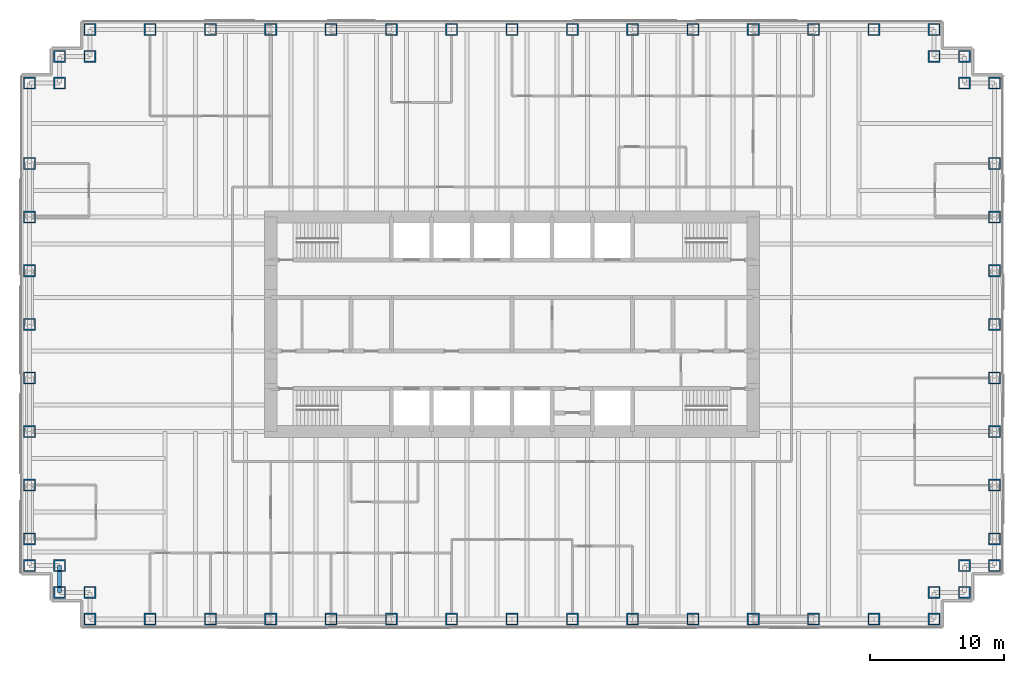
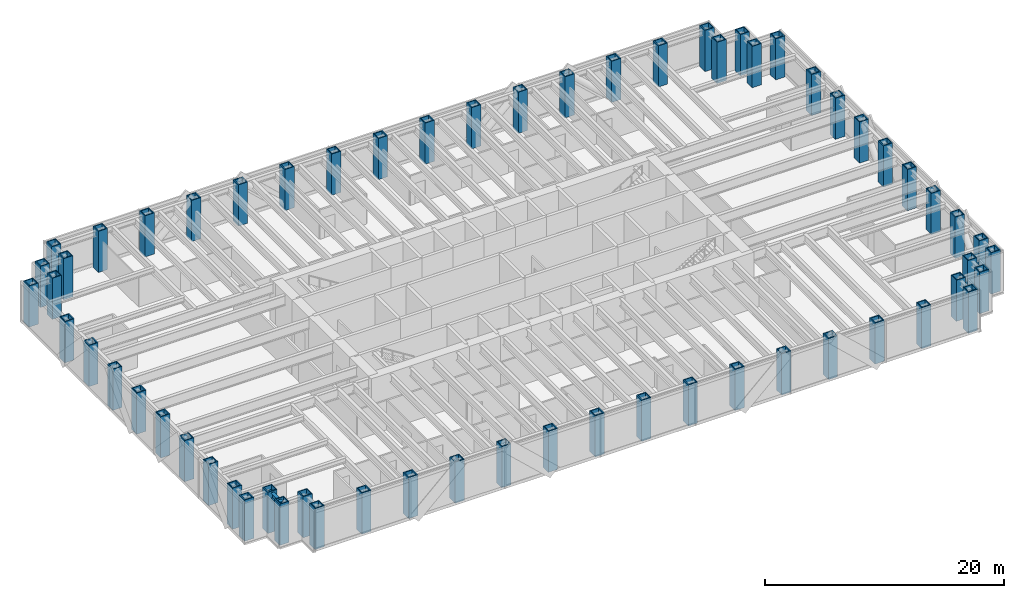
# One storey, part 1 of 15: 62 columns, 1 beam.
"""IFC4 building model written with IfcOpenShell, lengths in metres."""

import ifcopenshell
import ifcopenshell.guid

model = None  # the IFC model being written
_history = None  # IfcOwnerHistory: only IFC2X3 demands one
_inside = {}  # id of a spatial element -> (the spatial element, [elements in it])
_under = {}  # id of a project, library or spatial element -> (it, [spatial elements below it])
_declared = {}  # id of a project -> (the project, [libraries it declares])
_typed = {}  # id of a type object -> (the type object, [elements of that type])
_made_of = {}  # id of a material, layer set ... -> (it, [elements and type objects made of it])


def new_model(schema):
    """Start an empty IFC model of exactly this schema.

    Asked for "IFC4X3", IfcOpenShell would pick the latest addendum, in which some entities
    have other attributes; the version numbers below select the first issue.
    IFC2X3 requires an IfcOwnerHistory on every rooted entity: one is made here for all.
    """
    global model, _history
    if schema == "IFC4X3":
        model = ifcopenshell.file(schema_version=(4, 3, 0, 0))
    else:
        model = ifcopenshell.file(schema=schema)
    _inside.clear()
    _under.clear()
    _declared.clear()
    _typed.clear()
    _made_of.clear()
    _history = None
    if model.schema == "IFC2X3":
        org = make("IfcOrganization", Name="unknown")
        user = make(
            "IfcPersonAndOrganization",
            ThePerson=make("IfcPerson", FamilyName="unknown"),
            TheOrganization=org,
        )
        app = make(
            "IfcApplication",
            ApplicationDeveloper=org,
            Version="unknown",
            ApplicationFullName="unknown",
            ApplicationIdentifier="unknown",
        )
        _history = make(
            "IfcOwnerHistory",
            OwningUser=user,
            OwningApplication=app,
            ChangeAction="ADDED",
            CreationDate=0,
        )
    return model


def make(cls, **values):
    """One entity of the class cls with the attributes given. An attribute that is None is left unset."""
    return model.create_entity(
        cls, **{name: value for name, value in values.items() if value is not None}
    )


def rooted(cls, **values):
    """An entity with a GlobalId (a new one), such as an element, a storey or a relation."""
    return make(cls, GlobalId=ifcopenshell.guid.new(), OwnerHistory=_history, **values)


def si_unit(unit_type, name, prefix=None):
    """IfcSIUnit, for example si_unit("LENGTHUNIT", "METRE", prefix="MILLI")."""
    return make("IfcSIUnit", UnitType=unit_type, Prefix=prefix, Name=name)


def assignment(units):
    """IfcUnitAssignment: the units of a project."""
    return None if units is None else make("IfcUnitAssignment", Units=units)


def point(xyz):
    """IfcCartesianPoint."""
    return None if xyz is None else make("IfcCartesianPoint", Coordinates=xyz)


def direction(xyz):
    """IfcDirection."""
    return None if xyz is None else make("IfcDirection", DirectionRatios=xyz)


def frame(location, z_axis=None, x_axis=None):
    """IfcAxis2Placement3D, a coordinate frame: its origin and axes. An axis left out is left unset."""
    return make(
        "IfcAxis2Placement3D",
        Location=point(location),
        Axis=direction(z_axis),
        RefDirection=direction(x_axis),
    )


def frame_2d(location, x_axis=None):
    """IfcAxis2Placement2D, a coordinate frame in the plane: its origin and x axis."""
    return make(
        "IfcAxis2Placement2D", Location=point(location), RefDirection=direction(x_axis)
    )


def origin():
    """The frame at (0, 0, 0) with its axes left unset."""
    return frame((0.0, 0.0, 0.0))


def origin_2d():
    """The frame at (0, 0) in the plane with its x axis left unset."""
    return frame_2d((0.0, 0.0))


def place(relative_to, where):
    """IfcLocalPlacement: puts the frame where relative to a parent placement (None: the world)."""
    return make(
        "IfcLocalPlacement", PlacementRelTo=relative_to, RelativePlacement=where
    )


def context(
    kind, dimensions, precision=None, world=None, true_north=None, identifier=None
):
    """IfcGeometricRepresentationContext, for example the 3D "Model" context."""
    return make(
        "IfcGeometricRepresentationContext",
        ContextIdentifier=identifier,
        ContextType=kind,
        CoordinateSpaceDimension=dimensions,
        Precision=precision,
        WorldCoordinateSystem=world,
        TrueNorth=true_north,
    )


def subcontext(parent, identifier, kind, view, scale=None):
    """IfcGeometricRepresentationSubContext, for example "Body" below "Model"."""
    return make(
        "IfcGeometricRepresentationSubContext",
        ContextIdentifier=identifier,
        ContextType=kind,
        ParentContext=parent,
        TargetScale=scale,
        TargetView=view,
    )


def project(units=None, contexts=None):
    """IfcProject with its units and contexts."""
    return rooted(
        "IfcProject",
        Name="project",
        RepresentationContexts=contexts,
        UnitsInContext=assignment(units),
    )


def spatial(cls, under=None, at=None, **own):
    """A site, building, storey or space (cls), placed at a placement, below another one or the project."""
    s = rooted(cls, ObjectPlacement=at, **own)
    if under is not None:
        _under.setdefault(under.id(), (under, []))[1].append(s)
    return s


def profile(cls, at=None, kind="AREA", **sizes):
    """A parametric profile (cls). Its sizes go by their IFC names, for example OverallWidth=200.0."""
    return make(cls, ProfileType=kind, Position=at, **sizes)


def hollow_rectangle(**sizes):
    """IfcRectangleHollowProfileDef."""
    return profile("IfcRectangleHollowProfileDef", **sizes)


def i_section(**sizes):
    """IfcIShapeProfileDef."""
    return profile("IfcIShapeProfileDef", **sizes)


def extrude(swept, where, along, depth):
    """IfcExtrudedAreaSolid: the profile swept, set in the frame where, extruded along a direction by depth."""
    return make(
        "IfcExtrudedAreaSolid",
        SweptArea=swept,
        Position=where,
        ExtrudedDirection=direction(along),
        Depth=depth,
    )


def shape(context_of_items, identifier, shape_type, items):
    """IfcShapeRepresentation: the items that make up one representation, for example the "Body"."""
    return make(
        "IfcShapeRepresentation",
        ContextOfItems=context_of_items,
        RepresentationIdentifier=identifier,
        RepresentationType=shape_type,
        Items=items,
    )


def material(Name=None, Category=None):
    """IfcMaterial."""
    return make("IfcMaterial", Name=Name, Category=Category)


def material_profile(
    of_material, cross_section, Name=None, Category=None, Priority=None
):
    """IfcMaterialProfile: a cross section and its material."""
    return make(
        "IfcMaterialProfile",
        Name=Name,
        Material=of_material,
        Profile=cross_section,
        Priority=Priority,
        Category=Category,
    )


def profile_set(profiles, Name=None, composite=None):
    """IfcMaterialProfileSet."""
    return make(
        "IfcMaterialProfileSet",
        Name=Name,
        MaterialProfiles=profiles,
        CompositeProfile=composite,
    )


def made_of(thing, what):
    """Note that an element or type object is made of a material, layer set ...; save() writes the relation."""
    if what is not None:
        _made_of.setdefault(what.id(), (what, []))[1].append(thing)
    return thing


def type_object(cls, material=None, **own):
    """A type object (cls), such as IfcWallType, which elements share."""
    return made_of(rooted(cls, **own), material)


def element(
    cls,
    number,
    at=None,
    inside=None,
    cuts=None,
    type_object=None,
    material=None,
    context=None,
    identifier="Body",
    shape_type=None,
    held_by="IfcProductDefinitionShape",
    body=None,
    shapes=None,
    **own,
):
    """One element of the class cls, such as IfcWall. Its Tag is "e" and its number.

    at: its placement. inside: the storey or other place that contains it. cuts: it is an
    opening in that element (IfcRelVoidsElement). A single representation is given by context,
    identifier, shape_type and body (its items); several are given by shapes. held_by: the class
    of the entity that holds the representations. save() writes the other relations.
    """
    e = rooted(cls, Tag="e%d" % number, ObjectPlacement=at, **own)
    if body is not None:
        shapes = [shape(context, identifier, shape_type, body)]
    if shapes is not None:
        e.Representation = make(held_by, Representations=shapes)
    if inside is not None:
        _inside.setdefault(inside.id(), (inside, []))[1].append(e)
    if cuts is not None:
        rooted(
            "IfcRelVoidsElement", RelatingBuildingElement=cuts, RelatedOpeningElement=e
        )
    if type_object is not None:
        _typed.setdefault(type_object.id(), (type_object, []))[1].append(e)
    return made_of(e, material)


def aggregate(whole, parts):
    """IfcRelAggregates: a whole, such as a stair, and the parts it consists of."""
    return rooted("IfcRelAggregates", RelatingObject=whole, RelatedObjects=parts)


def save(model, path):
    """Write the relations noted so far, then the file.

    IfcRelAggregates (storeys below a building ...), IfcRelContainedInSpatialStructure (elements
    in a storey), IfcRelDefinesByType, IfcRelAssociatesMaterial and IfcRelDeclares: one each for
    every whole, place, type object, material and project.
    """
    for whole, parts in _under.values():
        aggregate(whole, parts)
    for where, things in _inside.values():
        rooted(
            "IfcRelContainedInSpatialStructure",
            RelatedElements=things,
            RelatingStructure=where,
        )
    for kind, things in _typed.values():
        rooted("IfcRelDefinesByType", RelatedObjects=things, RelatingType=kind)
    for what, things in _made_of.values():
        rooted("IfcRelAssociatesMaterial", RelatedObjects=things, RelatingMaterial=what)
    for by, libraries in _declared.values():
        rooted("IfcRelDeclares", RelatingContext=by, RelatedDefinitions=libraries)
    model.write(path)


model = new_model("IFC4")

# Units and contexts
model_context = context("Model", 3, precision=1e-05, world=origin(), true_north=direction((0.0, 1.0)))
body_context = subcontext(model_context, "Body", "Model", "MODEL_VIEW")
ifc_project = project(units=[si_unit("LENGTHUNIT", "METRE"), si_unit("AREAUNIT", "SQUARE_METRE"), si_unit("VOLUMEUNIT", "CUBIC_METRE"), si_unit("PLANEANGLEUNIT", "RADIAN"), si_unit("MASSUNIT", "GRAM", prefix="KILO")], contexts=[model_context])

# Site, building, storey
site_placement = place(None, origin())
site = spatial("IfcSite", under=ifc_project, at=site_placement, CompositionType="ELEMENT")
building_placement = place(site_placement, origin())
building = spatial("IfcBuilding", under=site, at=building_placement, Name="Rheinbord Bourse Tower", CompositionType="ELEMENT")
storey_placement = place(building_placement, frame((0.0, 0.0, 163.5)))
storey = spatial("IfcBuildingStorey", under=building, at=storey_placement, Name="L36", CompositionType="ELEMENT", Elevation=163.5)

# Columns
ifc_material_1 = material(Name="Steel S460M", Category="steel")
ifc_material_profile_1 = material_profile(ifc_material_1, hollow_rectangle(XDim=0.89990234375, YDim=0.89990234375, WallThickness=0.090087890625, at=origin_2d()), Name="BOX 900x900x90")
ifc_profile_set_1 = profile_set([ifc_material_profile_1], Name="Steel S460M")
column_type = type_object("IfcColumnType", Name="TUBE COLUMN BOX 900x900x90", PredefinedType="COLUMN", material=ifc_profile_set_1)
for number, where, z_axis, x_axis, name in (
    (1, (4.5, 2.0, 0.0), (0.0, 0.0, 1.0), (0.0, 1.0, 0.0), "Column SW-E L36"),
    (2, (9.0, 2.0, 0.0), (0.0, 0.0, 1.0), (0.0, 1.0, 0.0), "Column S-9 L36"),
    (3, (13.5, 2.0, 0.0), (0.0, 0.0, 1.0), (0.0, 1.0, 0.0), "Column S-13.5 L36"),
    (4, (18.0, 2.0, 0.0), (0.0, 0.0, 1.0), (0.0, 1.0, 0.0), "Column S-18 L36"),
    (5, (22.5, 2.0, 0.0), (0.0, 0.0, 1.0), (0.0, 1.0, 0.0), "Column S-22.5 L36"),
    (6, (27.0, 2.0, 0.0), (0.0, 0.0, 1.0), (0.0, 1.0, 0.0), "Column S-27 L36"),
    (7, (31.5, 2.0, 0.0), (0.0, 0.0, 1.0), (0.0, 1.0, 0.0), "Column S-31.5 L36"),
    (8, (36.0, 2.0, 0.0), (0.0, 0.0, 1.0), (0.0, 1.0, 0.0), "Column S-36 L36"),
    (9, (40.5, 2.0, 0.0), (0.0, 0.0, 1.0), (0.0, 1.0, 0.0), "Column S-40.5 L36"),
    (10, (45.0, 2.0, 0.0), (0.0, 0.0, 1.0), (0.0, 1.0, 0.0), "Column S-45 L36"),
    (11, (49.5, 2.0, 0.0), (0.0, 0.0, 1.0), (0.0, 1.0, 0.0), "Column S-49.5 L36"),
    (12, (54.0, 2.0, 0.0), (0.0, 0.0, 1.0), (0.0, 1.0, 0.0), "Column S-54 L36"),
    (13, (58.5, 2.0, 0.0), (0.0, 0.0, 1.0), (0.0, 1.0, 0.0), "Column S-58.5 L36"),
    (14, (63.0, 2.0, 0.0), (0.0, 0.0, 1.0), (0.0, 1.0, 0.0), "Column S-63 L36"),
    (15, (67.5, 2.0, 0.0), (0.0, 0.0, 1.0), (0.0, 1.0, 0.0), "Column SE-E L36"),
    (16, (67.5, 4.0, 0.0), (0.0, 0.0, 1.0), (0.0, 1.0, 0.0), "Column SE-D L36"),
    (17, (69.75, 4.0, 0.0), (0.0, 0.0, 1.0), (1.0, 0.0, 0.0), "Column SE-C L36"),
    (18, (69.75, 6.0, 0.0), (0.0, 0.0, 1.0), (1.0, 0.0, 0.0), "Column SE-B L36"),
    (19, (72.0, 6.0, 0.0), (0.0, 0.0, 1.0), (1.0, 0.0, 0.0), "Column SE-A L36"),
    (20, (72.0, 8.0, 0.0), (0.0, 0.0, 1.0), (1.0, 0.0, 0.0), "Column E-8 L36"),
    (21, (72.0, 12.0, 0.0), (0.0, 0.0, 1.0), (1.0, 0.0, 0.0), "Column E-12 L36"),
    (22, (72.0, 16.0, 0.0), (0.0, 0.0, 1.0), (1.0, 0.0, 0.0), "Column E-16 L36"),
    (23, (72.0, 20.0, 0.0), (0.0, 0.0, 1.0), (1.0, 0.0, 0.0), "Column E-20 L36"),
    (24, (72.0, 24.0, 0.0), (0.0, 0.0, 1.0), (1.0, 0.0, 0.0), "Column E-24 L36"),
    (25, (72.0, 28.0, 0.0), (0.0, 0.0, 1.0), (1.0, 0.0, 0.0), "Column E-28 L36"),
    (26, (72.0, 32.0, 0.0), (0.0, 0.0, 1.0), (1.0, 0.0, 0.0), "Column E-32 L36"),
    (27, (72.0, 36.0, 0.0), (0.0, 0.0, 1.0), (1.0, 0.0, 0.0), "Column E-36 L36"),
    (28, (72.0, 42.0, 0.0), (0.0, 0.0, 1.0), (1.0, 0.0, 0.0), "Column NE-A L36"),
    (29, (69.75, 42.0, 0.0), (0.0, 0.0, 1.0), (1.0, 0.0, 0.0), "Column NE-B L36"),
    (30, (69.75, 44.0, 0.0), (0.0, 0.0, 1.0), (1.0, 0.0, 0.0), "Column NE-C L36"),
    (31, (67.5, 44.0, 0.0), (0.0, 0.0, 1.0), (0.0, 1.0, 0.0), "Column NE-D L36"),
    (32, (67.5, 46.0, 0.0), (0.0, 0.0, 1.0), (0.0, 1.0, 0.0), "Column NE-E L36"),
    (33, (63.0, 46.0, 0.0), (0.0, 0.0, 1.0), (0.0, 1.0, 0.0), "Column N-63 L36"),
    (34, (58.5, 46.0, 0.0), (0.0, 0.0, 1.0), (0.0, 1.0, 0.0), "Column N-58.5 L36"),
    (35, (54.0, 46.0, 0.0), (0.0, 0.0, 1.0), (0.0, 1.0, 0.0), "Column N-54 L36"),
    (36, (49.5, 46.0, 0.0), (0.0, 0.0, 1.0), (0.0, 1.0, 0.0), "Column N-49.5 L36"),
    (37, (45.0, 46.0, 0.0), (0.0, 0.0, 1.0), (0.0, 1.0, 0.0), "Column N-45 L36"),
    (38, (40.5, 46.0, 0.0), (0.0, 0.0, 1.0), (0.0, 1.0, 0.0), "Column N-40.5 L36"),
    (39, (36.0, 46.0, 0.0), (0.0, 0.0, 1.0), (0.0, 1.0, 0.0), "Column N-36 L36"),
    (40, (31.5, 46.0, 0.0), (0.0, 0.0, 1.0), (0.0, 1.0, 0.0), "Column N-31.5 L36"),
    (41, (27.0, 46.0, 0.0), (0.0, 0.0, 1.0), (0.0, 1.0, 0.0), "Column N-27 L36"),
    (42, (22.5, 46.0, 0.0), (0.0, 0.0, 1.0), (0.0, 1.0, 0.0), "Column N-22.5 L36"),
    (43, (18.0, 46.0, 0.0), (0.0, 0.0, 1.0), (0.0, 1.0, 0.0), "Column N-18 L36"),
    (44, (13.5, 46.0, 0.0), (0.0, 0.0, 1.0), (0.0, 1.0, 0.0), "Column N-13.5 L36"),
    (45, (9.0, 46.0, 0.0), (0.0, 0.0, 1.0), (0.0, 1.0, 0.0), "Column N-9 L36"),
    (46, (4.5, 46.0, 0.0), (0.0, 0.0, 1.0), (0.0, 1.0, 0.0), "Column NW-E L36"),
    (47, (4.5, 44.0, 0.0), (0.0, 0.0, 1.0), (0.0, 1.0, 0.0), "Column NW-D L36"),
    (48, (2.25, 44.0, 0.0), (0.0, 0.0, 1.0), (1.0, 0.0, 0.0), "Column NW-C L36"),
    (49, (2.25, 42.0, 0.0), (0.0, 0.0, 1.0), (1.0, 0.0, 0.0), "Column NW-B L36"),
    (50, (0.0, 42.0, 0.0), (0.0, 0.0, 1.0), (1.0, 0.0, 0.0), "Column NW-A L36"),
    (51, (0.0, 36.0, 0.0), (0.0, 0.0, 1.0), (1.0, 0.0, 0.0), "Column W-36 L36"),
    (52, (0.0, 32.0, 0.0), (0.0, 0.0, 1.0), (1.0, 0.0, 0.0), "Column W-32 L36"),
    (53, (0.0, 28.0, 0.0), (0.0, 0.0, 1.0), (1.0, 0.0, 0.0), "Column W-28 L36"),
    (54, (0.0, 24.0, 0.0), (0.0, 0.0, 1.0), (1.0, 0.0, 0.0), "Column W-24 L36"),
    (55, (0.0, 20.0, 0.0), (0.0, 0.0, 1.0), (1.0, 0.0, 0.0), "Column W-20 L36"),
    (56, (0.0, 16.0, 0.0), (0.0, 0.0, 1.0), (1.0, 0.0, 0.0), "Column W-16 L36"),
    (57, (0.0, 12.0, 0.0), (0.0, 0.0, 1.0), (1.0, 0.0, 0.0), "Column W-12 L36"),
    (58, (0.0, 8.0, 0.0), (0.0, 0.0, 1.0), (1.0, 0.0, 0.0), "Column W-8 L36"),
    (59, (0.0, 6.0, 0.0), (0.0, 0.0, 1.0), (1.0, 0.0, 0.0), "Column SW-A L36"),
    (60, (2.25, 6.0, 0.0), (0.0, 0.0, 1.0), (1.0, 0.0, 0.0), "Column SW-B L36"),
    (61, (2.25, 4.0, 0.0), (0.0, 0.0, 1.0), (1.0, 0.0, 0.0), "Column SW-C L36"),
    (62, (4.5, 4.0, 0.0), (0.0, 0.0, 1.0), (0.0, 1.0, 0.0), "Column SW-D L36"),
):
    element("IfcColumn", number, at=place(storey_placement, frame(where, z_axis=z_axis, x_axis=x_axis)), inside=storey, type_object=column_type, Name=name, PredefinedType="COLUMN", context=body_context, shape_type="SweptSolid", body=[
        extrude(hollow_rectangle(XDim=0.89990234375, YDim=0.89990234375, WallThickness=0.090087890625, at=origin_2d()), origin(), (0.0, 0.0, 1.0), 4.199951171875),
    ])

# Beam
ifc_material_2 = material(Name="Steel S460", Category="steel")
ifc_material_profile_2 = material_profile(ifc_material_2, i_section(OverallWidth=0.305908203125, OverallDepth=0.572021484375, WebThickness=0.02099609375, FlangeThickness=0.0400390625, at=origin_2d()), Name="HEM 550")
ifc_profile_set_2 = profile_set([ifc_material_profile_2], Name="Steel S460")
beam_type = type_object("IfcBeamType", Name="SPANDREL HEM 550", PredefinedType="SPANDREL", material=ifc_profile_set_2)
beam_placement = place(storey_placement, frame((2.25, 6.0, 3.75390625), z_axis=(0.0, -1.0, 0.0), x_axis=(1.0, 0.0, 0.0)))
element("IfcBeam", 63, at=beam_placement, inside=storey, type_object=beam_type, Name="Spandrel SW-B-SW-C under L37", PredefinedType="SPANDREL", context=body_context, shape_type="SweptSolid", body=[
    extrude(i_section(OverallWidth=0.305908203125, OverallDepth=0.572021484375, WebThickness=0.02099609375, FlangeThickness=0.0400390625, at=origin_2d()), origin(), (0.0, 0.0, 1.0), 2.0),
])

save(model, "model.ifc")
